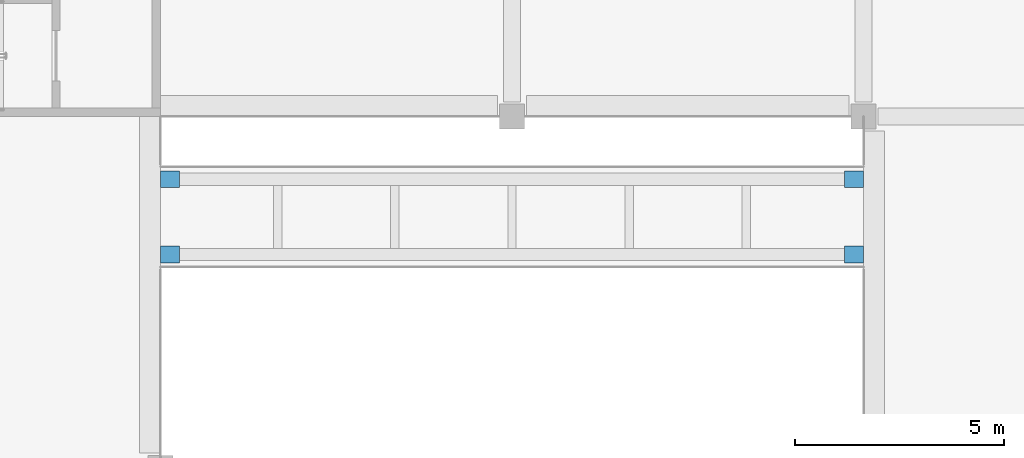
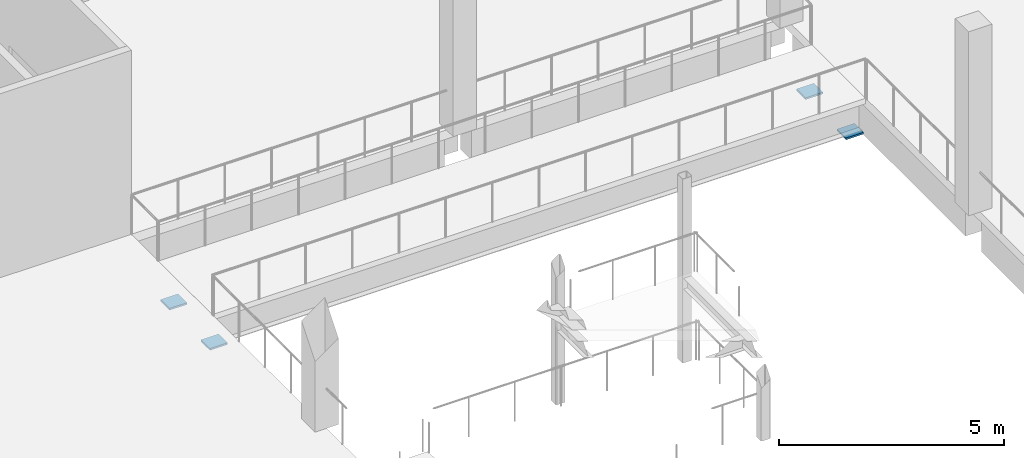
# One storey, part 33 of 59: 4 discrete accessories.
"""IFC4 building model written with IfcOpenShell, lengths in metres."""

from ifc_helpers import new_model, si_unit, direction, frame, origin, origin_2d, place, context, subcontext, project, spatial, rectangle, extrude, material, type_object, element, save


model = new_model("IFC4")

# Units and contexts
model_context = context("Model", 3, precision=1e-05, world=origin(), true_north=direction((0.0, 1.0)))
body_context = subcontext(model_context, "Body", "Model", "MODEL_VIEW")
ifc_project = project(units=[si_unit("LENGTHUNIT", "METRE"), si_unit("AREAUNIT", "SQUARE_METRE"), si_unit("VOLUMEUNIT", "CUBIC_METRE"), si_unit("PLANEANGLEUNIT", "RADIAN"), si_unit("MASSUNIT", "GRAM", prefix="KILO")], contexts=[model_context])

# Site, building, storey
site_placement = place(None, origin())
site = spatial("IfcSite", under=ifc_project, at=site_placement, CompositionType="ELEMENT")
building_placement = place(site_placement, origin())
building = spatial("IfcBuilding", under=site, at=building_placement, Name="Almond Square Museum", CompositionType="ELEMENT")
storey_placement = place(building_placement, frame((0.0, 0.0, 25.0)))
storey = spatial("IfcBuildingStorey", under=building, at=storey_placement, Name="L04", CompositionType="ELEMENT", Elevation=25.0)

# Discrete accessories
ifc_material = material(Name="Structural steel S355", Category="steel")
discrete_accessory_type = type_object("IfcDiscreteAccessoryType", Name="Bridge girder seat bracket", PredefinedType="BRACKET", material=ifc_material)
for number, where, z_axis, x_axis, name in (
    (1, (81.824951171875, 97.5, -1.03515625), (0.0, 0.0, 1.0), (1.0, 0.0, 0.0), "Bridge 6 girder seat bracket (fixed end)"),
    (2, (98.175048828125, 97.5, -1.03515625), (0.0, 0.0, 1.0), (1.0, 0.0, 0.0), "Bridge 6 girder seat bracket (sliding end)"),
    (3, (81.824951171875, 99.300048828125, -1.03515625), (0.0, 0.0, 1.0), (1.0, 0.0, 0.0), "Bridge 6 girder seat bracket (fixed end)"),
    (4, (98.175048828125, 99.300048828125, -1.03515625), (0.0, 0.0, 1.0), (1.0, 0.0, 0.0), "Bridge 6 girder seat bracket (sliding end)"),
):
    element("IfcDiscreteAccessory", number, at=place(storey_placement, frame(where, z_axis=z_axis, x_axis=x_axis)), inside=storey, type_object=discrete_accessory_type, Name=name, PredefinedType="BRACKET", context=body_context, shape_type="SweptSolid", body=[
        extrude(rectangle(XDim=0.449951171875, YDim=0.39990234375, at=origin_2d()), origin(), (0.0, 0.0, 1.0), 0.050048828125),
    ])

save(model, "model.ifc")
